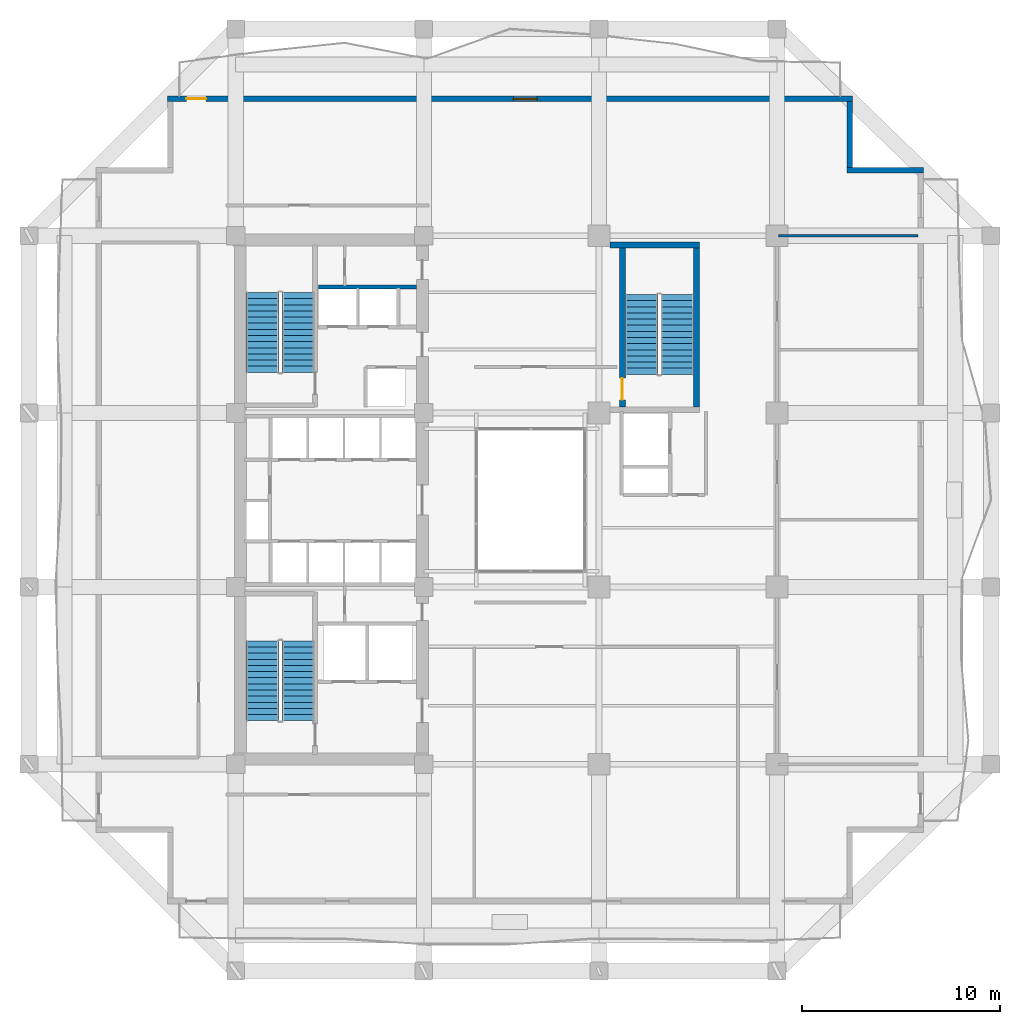
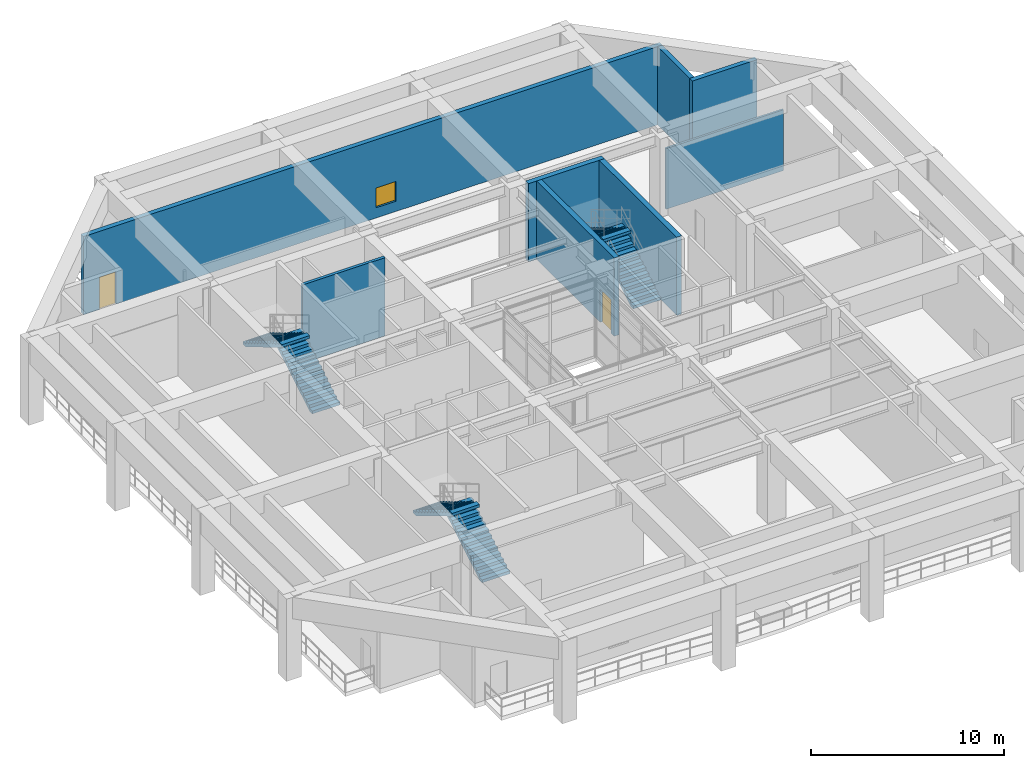
# One storey, part 8 of 13: 8 walls, 6 stair flights, 2 doors, 1 window, 3 openings, 3 elements without a shape of their own.
"""IFC4 building model written with IfcOpenShell, lengths in metres."""

from ifc_helpers import new_model, si_unit, direction, frame, frame_2d, origin, place, context, subcontext, project, spatial, polyline, rectangle, outline, extrude, material, layer, layer_set, type_object, element, fill, aggregate, save


model = new_model("IFC4")

# Units and contexts
model_context = context("Model", 3, precision=1e-05, world=origin(), true_north=direction((0.0, 1.0)))
body_context = subcontext(model_context, "Body", "Model", "MODEL_VIEW")
ifc_project = project(units=[si_unit("LENGTHUNIT", "METRE"), si_unit("AREAUNIT", "SQUARE_METRE"), si_unit("VOLUMEUNIT", "CUBIC_METRE"), si_unit("PLANEANGLEUNIT", "RADIAN"), si_unit("MASSUNIT", "GRAM", prefix="KILO")], contexts=[model_context])

# Site, building, storey
site_placement = place(None, origin())
site = spatial("IfcSite", under=ifc_project, at=site_placement, CompositionType="ELEMENT")
building_placement = place(site_placement, origin())
building = spatial("IfcBuilding", under=site, at=building_placement, Name="Kundavana Baori Tower", CompositionType="ELEMENT")
storey_placement = place(building_placement, frame((0.0, 0.0, 98.800048828125)))
storey = spatial("IfcBuildingStorey", under=building, at=storey_placement, Name="L23", CompositionType="ELEMENT", Elevation=98.800048828125)

# Walls
ifc_material_1 = material(Name="Red-Buff Dholpur Sandstone Cladding on Concrete C40/50", Category="masonry")
ifc_layer_1 = layer(ifc_material_1, 0.280029296875, Name="WL-EXT-SAND-280")
ifc_layer_set_1 = layer_set([ifc_layer_1], Name="Red-Buff Dholpur Sandstone Cladding on Concrete C40/50")
wall_type_1 = type_object("IfcWallType", Name="WL-EXT-SAND-280", PredefinedType="STANDARD", material=ifc_layer_set_1)
wall_1_placement = place(storey_placement, frame((50.199951171875, 45.260009765625, 0.0), z_axis=(0.0, 0.0, 1.0), x_axis=(-1.0, 0.0, 0.0)))
element("IfcWall", 1, at=wall_1_placement, inside=storey, type_object=wall_type_1, Name="L23 Exterior Insulated Facade Wall 05", PredefinedType="STANDARD", context=body_context, shape_type="SweptSolid", body=[
    extrude(rectangle(XDim=3.8798828125, YDim=0.280029296875, at=frame_2d((1.93994140625, 0.0))), origin(), (0.0, 0.0, 1.0), 4.949951171875),
])
wall_2_placement = place(storey_placement, frame((46.4599609375, 45.39990234375, 0.0), z_axis=(0.0, 0.0, 1.0), x_axis=(0.0, 1.0, 0.0)))
element("IfcWall", 2, at=wall_2_placement, inside=storey, type_object=wall_type_1, Name="L23 Exterior Insulated Facade Wall 06", PredefinedType="STANDARD", context=body_context, shape_type="SweptSolid", body=[
    extrude(rectangle(XDim=3.320068359375, YDim=0.280029296875, at=frame_2d((1.66015625, 0.0))), origin(), (0.0, 0.0, 1.0), 4.949951171875),
])

# Wall, openings, door, window
wall_3_placement = place(storey_placement, frame((46.60009765625, 48.860107421875, 0.0), z_axis=(0.0, 0.0, 1.0), x_axis=(-1.0, 0.0, 0.0)))
wall_3 = element("IfcWall", 3, at=wall_3_placement, inside=storey, type_object=wall_type_1, Name="L23 Exterior Insulated Facade Wall 07", PredefinedType="STANDARD", context=body_context, shape_type="SweptSolid", body=[
    extrude(rectangle(XDim=34.60009765625, YDim=0.280029296875, at=frame_2d((17.300048828125, 0.0))), origin(), (0.0, 0.0, 1.0), 4.949951171875),
])
opening_1_placement = place(wall_3_placement, frame((32.64990234375, 0.0, 0.0)))
opening_1 = element("IfcOpeningElement", 4, at=opening_1_placement, cuts=wall_3, Name="Opening BD-1", PredefinedType="OPENING", context=body_context, shape_type="SweptSolid", body=[
    extrude(rectangle(XDim=1.0, YDim=2.050048828125, at=frame_2d((0.5, 1.02490234375))), frame((0.0, 0.14990234375, 0.0), z_axis=(0.0, -1.0, 0.0), x_axis=(1.0, 0.0, 0.0)), (0.0, 0.0, 1.0), 0.300048828125),
])
opening_2_placement = place(wall_3_placement, frame((15.925048828125, 0.0, 0.64990234375)))
opening_2 = element("IfcOpeningElement", 5, at=opening_2_placement, cuts=wall_3, Name="Opening W-12", PredefinedType="OPENING", context=body_context, shape_type="SweptSolid", body=[
    extrude(rectangle(XDim=1.199951171875, YDim=1.25, at=frame_2d((0.60009765625, 0.625))), frame((0.0, 0.14990234375, 0.0), z_axis=(0.0, -1.0, 0.0), x_axis=(1.0, 0.0, 0.0)), (0.0, 0.0, 1.0), 0.300048828125),
])
ifc_material_2 = material(Name="Architectural Patinated Bronze Metalwork")
door_type_1 = type_object("IfcDoorType", Name="DR-EXT-LOG-1000", OperationType="NOTDEFINED", PredefinedType="DOOR", material=ifc_material_2)
door_1_placement = place(opening_1_placement, frame((1.0, 0.0, 0.0), z_axis=(0.0, 0.0, 1.0), x_axis=(-1.0, 0.0, 0.0)))
door_1 = element("IfcDoor", 6, at=door_1_placement, inside=storey, type_object=door_type_1, Name="L23 Loggia Balcony Access Door N", OperationType="SINGLE_SWING_LEFT", OverallHeight=2.050048828125, OverallWidth=1.0, PredefinedType="DOOR", context=body_context, shape_type="SweptSolid", body=[
    extrude(rectangle(XDim=1.0, YDim=2.050048828125, at=frame_2d((0.5, 1.02490234375))), frame((0.0, 0.02490234375, 0.0), z_axis=(0.0, -1.0, 0.0), x_axis=(1.0, 0.0, 0.0)), (0.0, 0.0, 1.0), 0.050048828125),
])
fill(opening_1, door_1)
ifc_material_3 = material(Name="Double-Glazed Solar-Control Low-E Insulated Glass", Category="glass")
window_type = type_object("IfcWindowType", Name="WIN-TRN-1200x1250", PartitioningType="SINGLE_PANEL", PredefinedType="WINDOW", material=ifc_material_3)
window_placement = place(opening_2_placement, origin())
window = element("IfcWindow", 7, at=window_placement, inside=storey, type_object=window_type, Name="L23 Recessed Loggia Window N-1", OverallHeight=1.25, OverallWidth=1.199951171875, PartitioningType="SINGLE_PANEL", PredefinedType="WINDOW", context=body_context, shape_type="SweptSolid", body=[
    extrude(rectangle(XDim=1.199951171875, YDim=1.25, at=frame_2d((0.60009765625, 0.625))), frame((0.0, 0.030029296875, 0.0), z_axis=(0.0, -1.0, 0.0), x_axis=(1.0, 0.0, 0.0)), (0.0, 0.0, 1.0), 0.06005859375),
])
fill(opening_2, window)

# Walls
ifc_material_4 = material(Name="Autoclaved Aerated Concrete Blockwork Masonry", Category="masonry")
ifc_layer_2 = layer(ifc_material_4, 0.179931640625, Name="WL-SHAFT-180")
ifc_layer_set_2 = layer_set([ifc_layer_2], Name="Autoclaved Aerated Concrete Blockwork Masonry")
wall_type_2 = type_object("IfcWallType", Name="WL-SHAFT-180", PredefinedType="SOLIDWALL", material=ifc_layer_set_2)
wall_4_placement = place(storey_placement, frame((19.639892578125, 39.360107421875, 0.0), z_axis=(0.0, 0.0, 1.0), x_axis=(1.0, 0.0, 0.0)))
element("IfcWall", 8, at=wall_4_placement, inside=storey, type_object=wall_type_2, Name="WL-L23-HRLOB-TOP", PredefinedType="SOLIDWALL", context=body_context, shape_type="SweptSolid", body=[
    extrude(rectangle(XDim=4.940185546875, YDim=0.179931640625, at=frame_2d((2.47021484375, 0.0))), origin(), (0.0, 0.0, 1.0), 4.949951171875),
])
ifc_material_5 = material(Name="Concrete C50/60", Category="concrete")
ifc_layer_3 = layer(ifc_material_5, 0.300048828125, Name="WL-ST3-300")
ifc_layer_set_3 = layer_set([ifc_layer_3], Name="Concrete C50/60")
wall_type_3 = type_object("IfcWallType", Name="WL-ST3-300", PredefinedType="SHEAR", material=ifc_layer_set_3)
wall_5_placement = place(storey_placement, frame((34.35009765625, 41.489990234375, 0.0), z_axis=(0.0, 0.0, 1.0), x_axis=(1.0, 0.0, 0.0)))
element("IfcWall", 9, at=wall_5_placement, inside=storey, type_object=wall_type_3, Name="L23 Stair ST3 North Shear Wall", PredefinedType="SHEAR", context=body_context, shape_type="SweptSolid", body=[
    extrude(rectangle(XDim=4.52001953125, YDim=0.300048828125, at=frame_2d((2.260009765625, 0.0))), origin(), (0.0, 0.0, 1.0), 4.949951171875),
])

# Wall, opening, door
wall_6_placement = place(storey_placement, frame((34.97998046875, 33.31005859375, 0.0), z_axis=(0.0, 0.0, 1.0), x_axis=(0.0, 1.0, 0.0)))
wall_6 = element("IfcWall", 10, at=wall_6_placement, inside=storey, type_object=wall_type_3, Name="L23 Stair ST3 West Shear Wall", PredefinedType="SHEAR", context=body_context, shape_type="SweptSolid", body=[
    extrude(rectangle(XDim=8.030029296875, YDim=0.300048828125, at=frame_2d((4.01513671875, 0.0))), origin(), (0.0, 0.0, 1.0), 4.949951171875),
])
opening_3_placement = place(wall_6_placement, frame((0.35009765625, 0.0, 0.0)))
opening_3 = element("IfcOpeningElement", 11, at=opening_3_placement, cuts=wall_6, Name="Opening FD-110", PredefinedType="OPENING", context=body_context, shape_type="SweptSolid", body=[
    extrude(rectangle(XDim=1.10009765625, YDim=2.10009765625, at=frame_2d((0.550048828125, 1.050048828125))), frame((0.0, 0.16015625, 0.0), z_axis=(0.0, -1.0, 0.0), x_axis=(1.0, 0.0, 0.0)), (0.0, 0.0, 1.0), 0.320068359375),
])
ifc_material_6 = material(Name="Galvanised Steel Fire-Rated Door Leaf", Category="steel")
door_type_2 = type_object("IfcDoorType", Name="DR-FD120-1100", OperationType="NOTDEFINED", PredefinedType="DOOR", material=ifc_material_6)
door_2_placement = place(opening_3_placement, origin())
door_2 = element("IfcDoor", 12, at=door_2_placement, inside=storey, type_object=door_type_2, Name="DR-L23-ST3-W", OperationType="SINGLE_SWING_LEFT", OverallHeight=2.10009765625, OverallWidth=1.10009765625, PredefinedType="DOOR", context=body_context, shape_type="SweptSolid", body=[
    extrude(rectangle(XDim=1.10009765625, YDim=2.10009765625, at=frame_2d((0.550048828125, 1.050048828125))), frame((0.0, 0.02490234375, 0.0), z_axis=(0.0, -1.0, 0.0), x_axis=(1.0, 0.0, 0.0)), (0.0, 0.0, 1.0), 0.050048828125),
])
fill(opening_3, door_2)

# Walls
wall_7_placement = place(storey_placement, frame((38.719970703125, 33.31005859375, 0.0), z_axis=(0.0, 0.0, 1.0), x_axis=(0.0, 1.0, 0.0)))
element("IfcWall", 13, at=wall_7_placement, inside=storey, type_object=wall_type_3, Name="L23 Stair ST3 East Shear Wall", PredefinedType="SHEAR", context=body_context, shape_type="SweptSolid", body=[
    extrude(rectangle(XDim=8.030029296875, YDim=0.300048828125, at=frame_2d((4.01513671875, 0.0))), origin(), (0.0, 0.0, 1.0), 4.949951171875),
])
ifc_material_7 = material(Name="Autoclaved Aerated Concrete Blockwork Masonry", Category="masonry")
ifc_layer_4 = layer(ifc_material_7, 0.125, Name="WL-WET-120")
ifc_layer_set_4 = layer_set([ifc_layer_4], Name="Autoclaved Aerated Concrete Blockwork Masonry")
wall_type_4 = type_object("IfcWallType", Name="WL-WET-120", PredefinedType="PLUMBINGWALL", material=ifc_layer_set_4)
wall_8_placement = place(storey_placement, frame((42.8798828125, 41.949951171875, 0.0), z_axis=(0.0, 0.0, 1.0), x_axis=(1.0, 0.0, 0.0)))
element("IfcWall", 14, at=wall_8_placement, inside=storey, type_object=wall_type_4, Name="WL-L23-SLEN", PredefinedType="PLUMBINGWALL", context=body_context, shape_type="SweptSolid", body=[
    extrude(rectangle(XDim=7.0400390625, YDim=0.125, at=frame_2d((3.52001953125, 0.0))), origin(), (0.0, 0.0, 1.0), 3.83984375),
])

# Stair, stair flights
ifc_material_8 = material(Name="Concrete C40/50", Category="concrete")
stair_type = type_object("IfcStairType", Name="STR-DOG-1650", PredefinedType="HALF_TURN_STAIR", material=ifc_material_8)
stair_1_placement = place(storey_placement, origin())
stair_1 = element("IfcStair", 15, at=stair_1_placement, inside=storey, type_object=stair_type, Name="L23 Protected Exit Stair ST1", PredefinedType="HALF_TURN_STAIR")
ifc_material_9 = material(Name="Concrete C40/50", Category="concrete")
stair_flight_type = type_object("IfcStairFlightType", Name="SFL-RC-1650", PredefinedType="STRAIGHT", material=ifc_material_9)
stair_flight_1_placement = place(storey_placement, frame((18.614990234375, 17.449951171875, 0.0), z_axis=(0.0, 0.0, 1.0), x_axis=(0.0, 1.0, 0.0)))
stair_flight_1 = element("IfcStairFlight", 16, at=stair_flight_1_placement, type_object=stair_flight_type, Name="ST1 flight 1", NumberOfRisers=14, NumberOfTreads=13, PredefinedType="STRAIGHT", RiserHeight=0.185714286, TreadLength=0.31, context=body_context, shape_type="SweptSolid", body=[
    extrude(outline(polyline([(0.0, 0.0), (0.0, 0.185791015625), (0.31005859375, 0.185791015625), (0.31005859375, 0.371337890625), (0.6201171875, 0.371337890625), (0.6201171875, 0.55712890625), (0.929931640625, 0.55712890625), (0.929931640625, 0.742919921875), (1.239990234375, 0.742919921875), (1.239990234375, 0.928466796875), (1.550048828125, 0.928466796875), (1.550048828125, 1.1142578125), (1.860107421875, 1.1142578125), (1.860107421875, 1.300048828125), (2.169921875, 1.300048828125), (2.169921875, 1.485595703125), (2.47998046875, 1.485595703125), (2.47998046875, 1.67138671875), (2.7900390625, 1.67138671875), (2.7900390625, 1.857177734375), (3.10009765625, 1.857177734375), (3.10009765625, 2.04296875), (3.409912109375, 2.04296875), (3.409912109375, 2.228515625), (3.719970703125, 2.228515625), (3.719970703125, 2.414306640625), (4.030029296875, 2.414306640625), (4.030029296875, 2.60009765625), (4.030029296875, 2.239501953125), (0.291748046875, 0.0), (0.0, 0.0)])), frame((0.0, 0.824951171875, 0.0), z_axis=(0.0, -1.0, 0.0), x_axis=(1.0, 0.0, 0.0)), (0.0, 0.0, 1.0), 1.64990234375),
])
stair_flight_2_placement = place(storey_placement, frame((16.804931640625, 21.47998046875, 2.599853515625), z_axis=(0.0, 0.0, 1.0), x_axis=(0.0, -1.0, 0.0)))
stair_flight_2 = element("IfcStairFlight", 17, at=stair_flight_2_placement, type_object=stair_flight_type, Name="ST1 flight 2", NumberOfRisers=14, NumberOfTreads=13, PredefinedType="STRAIGHT", RiserHeight=0.185714286, TreadLength=0.31, context=body_context, shape_type="SweptSolid", body=[
    extrude(outline(polyline([(0.0, 0.0), (0.0, 0.185791015625), (0.31005859375, 0.185791015625), (0.31005859375, 0.371337890625), (0.6201171875, 0.371337890625), (0.6201171875, 0.55712890625), (0.929931640625, 0.55712890625), (0.929931640625, 0.742919921875), (1.239990234375, 0.742919921875), (1.239990234375, 0.928466796875), (1.550048828125, 0.928466796875), (1.550048828125, 1.1142578125), (1.860107421875, 1.1142578125), (1.860107421875, 1.300048828125), (2.169921875, 1.300048828125), (2.169921875, 1.485595703125), (2.47998046875, 1.485595703125), (2.47998046875, 1.67138671875), (2.7900390625, 1.67138671875), (2.7900390625, 1.857177734375), (3.10009765625, 1.857177734375), (3.10009765625, 2.04296875), (3.409912109375, 2.04296875), (3.409912109375, 2.228515625), (3.719970703125, 2.228515625), (3.719970703125, 2.414306640625), (4.030029296875, 2.414306640625), (4.030029296875, 2.60009765625), (4.030029296875, 2.239501953125), (0.291748046875, 0.0), (0.0, 0.0)])), frame((0.0, 0.824951171875, 0.0), z_axis=(0.0, -1.0, 0.0), x_axis=(1.0, 0.0, 0.0)), (0.0, 0.0, 1.0), 1.64990234375),
])
aggregate(stair_1, [stair_flight_1, stair_flight_2])

stair_2_placement = place(storey_placement, origin())
stair_2 = element("IfcStair", 18, at=stair_2_placement, inside=storey, type_object=stair_type, Name="L23 Protected Exit Stair ST2", PredefinedType="HALF_TURN_STAIR")
stair_flight_3_placement = place(storey_placement, frame((18.614990234375, 35.050048828125, 0.0), z_axis=(0.0, 0.0, 1.0), x_axis=(0.0, 1.0, 0.0)))
stair_flight_3 = element("IfcStairFlight", 19, at=stair_flight_3_placement, type_object=stair_flight_type, Name="ST2 flight 1", NumberOfRisers=14, NumberOfTreads=13, PredefinedType="STRAIGHT", RiserHeight=0.185714286, TreadLength=0.31, context=body_context, shape_type="SweptSolid", body=[
    extrude(outline(polyline([(0.0, 0.0), (0.0, 0.185791015625), (0.31005859375, 0.185791015625), (0.31005859375, 0.371337890625), (0.6201171875, 0.371337890625), (0.6201171875, 0.55712890625), (0.929931640625, 0.55712890625), (0.929931640625, 0.742919921875), (1.239990234375, 0.742919921875), (1.239990234375, 0.928466796875), (1.550048828125, 0.928466796875), (1.550048828125, 1.1142578125), (1.860107421875, 1.1142578125), (1.860107421875, 1.300048828125), (2.169921875, 1.300048828125), (2.169921875, 1.485595703125), (2.47998046875, 1.485595703125), (2.47998046875, 1.67138671875), (2.7900390625, 1.67138671875), (2.7900390625, 1.857177734375), (3.10009765625, 1.857177734375), (3.10009765625, 2.04296875), (3.409912109375, 2.04296875), (3.409912109375, 2.228515625), (3.719970703125, 2.228515625), (3.719970703125, 2.414306640625), (4.030029296875, 2.414306640625), (4.030029296875, 2.60009765625), (4.030029296875, 2.239501953125), (0.291748046875, 0.0), (0.0, 0.0)])), frame((0.0, 0.824951171875, 0.0), z_axis=(0.0, -1.0, 0.0), x_axis=(1.0, 0.0, 0.0)), (0.0, 0.0, 1.0), 1.64990234375),
])
stair_flight_4_placement = place(storey_placement, frame((16.804931640625, 39.080078125, 2.599853515625), z_axis=(0.0, 0.0, 1.0), x_axis=(0.0, -1.0, 0.0)))
stair_flight_4 = element("IfcStairFlight", 20, at=stair_flight_4_placement, type_object=stair_flight_type, Name="ST2 flight 2", NumberOfRisers=14, NumberOfTreads=13, PredefinedType="STRAIGHT", RiserHeight=0.185714286, TreadLength=0.31, context=body_context, shape_type="SweptSolid", body=[
    extrude(outline(polyline([(0.0, 0.0), (0.0, 0.185791015625), (0.31005859375, 0.185791015625), (0.31005859375, 0.371337890625), (0.6201171875, 0.371337890625), (0.6201171875, 0.55712890625), (0.929931640625, 0.55712890625), (0.929931640625, 0.742919921875), (1.239990234375, 0.742919921875), (1.239990234375, 0.928466796875), (1.550048828125, 0.928466796875), (1.550048828125, 1.1142578125), (1.860107421875, 1.1142578125), (1.860107421875, 1.300048828125), (2.169921875, 1.300048828125), (2.169921875, 1.485595703125), (2.47998046875, 1.485595703125), (2.47998046875, 1.67138671875), (2.7900390625, 1.67138671875), (2.7900390625, 1.857177734375), (3.10009765625, 1.857177734375), (3.10009765625, 2.04296875), (3.409912109375, 2.04296875), (3.409912109375, 2.228515625), (3.719970703125, 2.228515625), (3.719970703125, 2.414306640625), (4.030029296875, 2.414306640625), (4.030029296875, 2.60009765625), (4.030029296875, 2.239501953125), (0.291748046875, 0.0), (0.0, 0.0)])), frame((0.0, 0.824951171875, 0.0), z_axis=(0.0, -1.0, 0.0), x_axis=(1.0, 0.0, 0.0)), (0.0, 0.0, 1.0), 1.64990234375),
])
aggregate(stair_2, [stair_flight_3, stair_flight_4])

stair_3_placement = place(storey_placement, origin())
stair_3 = element("IfcStair", 21, at=stair_3_placement, inside=storey, type_object=stair_type, Name="L23 Protected Exit Stair ST3", PredefinedType="HALF_TURN_STAIR")
stair_flight_5_placement = place(storey_placement, frame((37.7548828125, 34.949951171875, 0.0), z_axis=(0.0, 0.0, 1.0), x_axis=(0.0, 1.0, 0.0)))
stair_flight_5 = element("IfcStairFlight", 22, at=stair_flight_5_placement, type_object=stair_flight_type, Name="ST3 flight 1", NumberOfRisers=14, NumberOfTreads=13, PredefinedType="STRAIGHT", RiserHeight=0.185714286, TreadLength=0.31, context=body_context, shape_type="SweptSolid", body=[
    extrude(outline(polyline([(0.0, 0.0), (0.0, 0.185791015625), (0.31005859375, 0.185791015625), (0.31005859375, 0.371337890625), (0.6201171875, 0.371337890625), (0.6201171875, 0.55712890625), (0.929931640625, 0.55712890625), (0.929931640625, 0.742919921875), (1.239990234375, 0.742919921875), (1.239990234375, 0.928466796875), (1.550048828125, 0.928466796875), (1.550048828125, 1.1142578125), (1.860107421875, 1.1142578125), (1.860107421875, 1.300048828125), (2.169921875, 1.300048828125), (2.169921875, 1.485595703125), (2.47998046875, 1.485595703125), (2.47998046875, 1.67138671875), (2.7900390625, 1.67138671875), (2.7900390625, 1.857177734375), (3.10009765625, 1.857177734375), (3.10009765625, 2.04296875), (3.409912109375, 2.04296875), (3.409912109375, 2.228515625), (3.719970703125, 2.228515625), (3.719970703125, 2.414306640625), (4.030029296875, 2.414306640625), (4.030029296875, 2.60009765625), (4.030029296875, 2.239501953125), (0.291748046875, 0.0), (0.0, 0.0)])), frame((0.0, 0.824951171875, 0.0), z_axis=(0.0, -1.0, 0.0), x_axis=(1.0, 0.0, 0.0)), (0.0, 0.0, 1.0), 1.64990234375),
])
stair_flight_6_placement = place(storey_placement, frame((35.945068359375, 38.97998046875, 2.599853515625), z_axis=(0.0, 0.0, 1.0), x_axis=(0.0, -1.0, 0.0)))
stair_flight_6 = element("IfcStairFlight", 23, at=stair_flight_6_placement, type_object=stair_flight_type, Name="ST3 flight 2", NumberOfRisers=14, NumberOfTreads=13, PredefinedType="STRAIGHT", RiserHeight=0.185714286, TreadLength=0.31, context=body_context, shape_type="SweptSolid", body=[
    extrude(outline(polyline([(0.0, 0.0), (0.0, 0.185791015625), (0.31005859375, 0.185791015625), (0.31005859375, 0.371337890625), (0.6201171875, 0.371337890625), (0.6201171875, 0.55712890625), (0.929931640625, 0.55712890625), (0.929931640625, 0.742919921875), (1.239990234375, 0.742919921875), (1.239990234375, 0.928466796875), (1.550048828125, 0.928466796875), (1.550048828125, 1.1142578125), (1.860107421875, 1.1142578125), (1.860107421875, 1.300048828125), (2.169921875, 1.300048828125), (2.169921875, 1.485595703125), (2.47998046875, 1.485595703125), (2.47998046875, 1.67138671875), (2.7900390625, 1.67138671875), (2.7900390625, 1.857177734375), (3.10009765625, 1.857177734375), (3.10009765625, 2.04296875), (3.409912109375, 2.04296875), (3.409912109375, 2.228515625), (3.719970703125, 2.228515625), (3.719970703125, 2.414306640625), (4.030029296875, 2.414306640625), (4.030029296875, 2.60009765625), (4.030029296875, 2.239501953125), (0.291748046875, 0.0), (0.0, 0.0)])), frame((0.0, 0.824951171875, 0.0), z_axis=(0.0, -1.0, 0.0), x_axis=(1.0, 0.0, 0.0)), (0.0, 0.0, 1.0), 1.64990234375),
])
aggregate(stair_3, [stair_flight_5, stair_flight_6])

save(model, "model.ifc")
